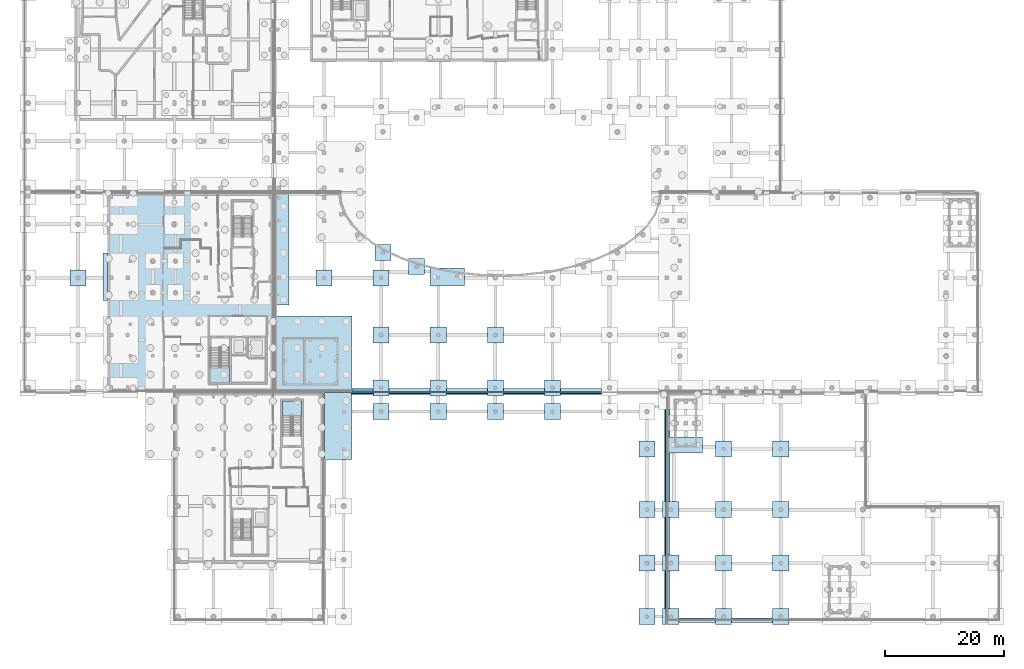
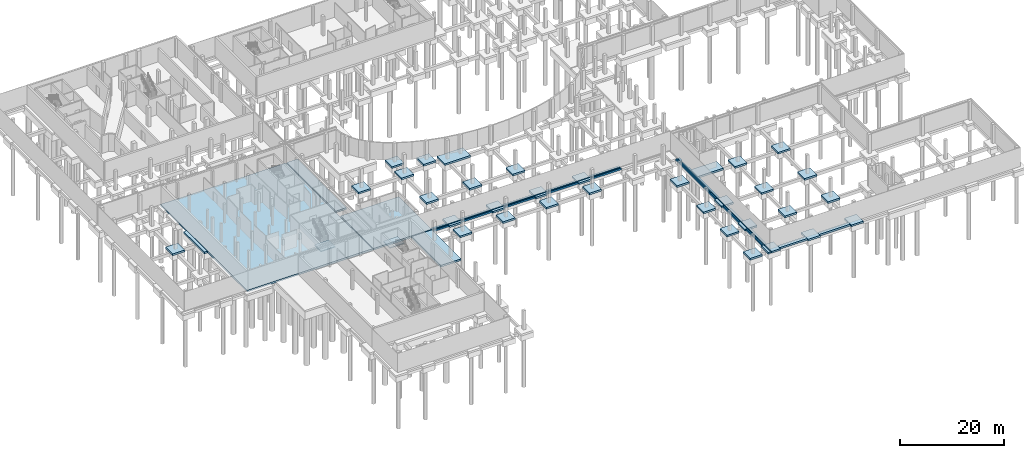
# One storey, part 16 of 40: 65 slabs, 2 elements without a shape of their own.
"""IFC4 building model written with IfcOpenShell, lengths in metres."""

from ifc_helpers import new_model, si_unit, direction, frame, origin, place, context, subcontext, project, spatial, polyline, outline, extrude, material, layer, layer_set, type_object, element, aggregate, save


model = new_model("IFC4")

# Units and contexts
model_context = context("Model", 3, precision=1e-05, world=origin(), true_north=direction((0.0, 1.0)))
body_context = subcontext(model_context, "Body", "Model", "MODEL_VIEW")
ifc_project = project(units=[si_unit("LENGTHUNIT", "METRE"), si_unit("AREAUNIT", "SQUARE_METRE"), si_unit("VOLUMEUNIT", "CUBIC_METRE"), si_unit("PLANEANGLEUNIT", "RADIAN"), si_unit("MASSUNIT", "GRAM", prefix="KILO")], contexts=[model_context])

# Site, building, storey
site_placement = place(None, origin())
site = spatial("IfcSite", under=ifc_project, at=site_placement, CompositionType="ELEMENT")
building_placement = place(site_placement, origin())
building = spatial("IfcBuilding", under=site, at=building_placement, Name="Mzevani Central Library", CompositionType="ELEMENT")
storey_placement = place(building_placement, frame((0.0, 0.0, -4.5)))
storey = spatial("IfcBuildingStorey", under=building, at=storey_placement, Name="B1", CompositionType="ELEMENT", Elevation=-4.5)

# Slabs
ifc_material_1 = material(Name="Concrete C40/50", Category="concrete")
ifc_layer_1 = layer(ifc_material_1, 0.419921875, Name="Basement Mat Base Slab 420")
ifc_layer_set_1 = layer_set([ifc_layer_1], Name="Concrete C40/50")
slab_type_1 = type_object("IfcSlabType", Name="Basement Mat Base Slab 420", PredefinedType="BASESLAB", material=ifc_layer_set_1)
slab_1_placement = place(storey_placement, frame((0.0, 0.0, -0.419921875)))
element("IfcSlab", 1, at=slab_1_placement, inside=storey, type_object=slab_type_1, Name="B1 Foundation Plinth Collar (3)", PredefinedType="BASESLAB", context=body_context, shape_type="SweptSolid", body=[
    extrude(outline(polyline([(48.5, 57.0), (46.10009765625, 57.0), (46.10009765625, 75.89990234375), (48.5, 75.89990234375), (48.5, 57.0)])), origin(), (0.0, 0.0, 1.0), 0.419921875),
])
slab_2_placement = place(storey_placement, frame((0.0, 0.0, -0.419921875)))
element("IfcSlab", 2, at=slab_2_placement, inside=storey, type_object=slab_type_1, Name="B1 Foundation Plinth Collar (4)", PredefinedType="BASESLAB", context=body_context, shape_type="SweptSolid", body=[
    extrude(outline(polyline([(53.050048828125, 62.949951171875), (55.75, 62.949951171875), (55.75, 60.25), (53.050048828125, 60.25), (53.050048828125, 62.949951171875)])), origin(), (0.0, 0.0, 1.0), 0.419921875),
])
slab_3_placement = place(storey_placement, frame((0.0, 0.0, -0.419921875)))
element("IfcSlab", 3, at=slab_3_placement, inside=storey, type_object=slab_type_1, Name="B1 Foundation Plinth Collar (7)", PredefinedType="BASESLAB", context=body_context, shape_type="SweptSolid", body=[
    extrude(outline(polyline([(62.64990234375, 42.300048828125), (65.35009765625, 42.300048828125), (65.35009765625, 41.75), (62.64990234375, 41.75), (62.64990234375, 42.300048828125)])), origin(), (0.0, 0.0, 1.0), 0.419921875),
])
slab_4_placement = place(storey_placement, frame((0.0, 0.0, -0.419921875)))
element("IfcSlab", 4, at=slab_4_placement, inside=storey, type_object=slab_type_1, Name="B1 Foundation Plinth Collar (8)", PredefinedType="BASESLAB", context=body_context, shape_type="SweptSolid", body=[
    extrude(outline(polyline([(62.64990234375, 44.449951171875), (65.35009765625, 44.449951171875), (65.35009765625, 42.5), (62.64990234375, 42.5), (62.64990234375, 44.449951171875)])), origin(), (0.0, 0.0, 1.0), 0.419921875),
])
slab_5_placement = place(storey_placement, frame((0.0, 0.0, -0.419921875)))
element("IfcSlab", 5, at=slab_5_placement, inside=storey, type_object=slab_type_1, Name="B1 Foundation Plinth Collar (9)", PredefinedType="BASESLAB", context=body_context, shape_type="SweptSolid", body=[
    extrude(outline(polyline([(62.64990234375, 53.35009765625), (65.35009765625, 53.35009765625), (65.35009765625, 50.64990234375), (62.64990234375, 50.64990234375), (62.64990234375, 53.35009765625)])), origin(), (0.0, 0.0, 1.0), 0.419921875),
])
slab_6_placement = place(storey_placement, frame((0.0, 0.0, -0.419921875)))
element("IfcSlab", 6, at=slab_6_placement, inside=storey, type_object=slab_type_1, Name="B1 Foundation Plinth Collar (10)", PredefinedType="BASESLAB", context=body_context, shape_type="SweptSolid", body=[
    extrude(outline(polyline([(62.64990234375, 62.949951171875), (65.35009765625, 62.949951171875), (65.35009765625, 60.25), (62.64990234375, 60.25), (62.64990234375, 62.949951171875)])), origin(), (0.0, 0.0, 1.0), 0.419921875),
])
slab_7_placement = place(storey_placement, frame((0.0, 0.0, -0.419921875)))
element("IfcSlab", 7, at=slab_7_placement, inside=storey, type_object=slab_type_1, Name="B1 Foundation Plinth Collar (11)", PredefinedType="BASESLAB", context=body_context, shape_type="SweptSolid", body=[
    extrude(outline(polyline([(72.25, 42.300048828125), (74.949951171875, 42.300048828125), (74.949951171875, 41.75), (72.25, 41.75), (72.25, 42.300048828125)])), origin(), (0.0, 0.0, 1.0), 0.419921875),
])
slab_8_placement = place(storey_placement, frame((0.0, 0.0, -0.419921875)))
element("IfcSlab", 8, at=slab_8_placement, inside=storey, type_object=slab_type_1, Name="B1 Foundation Plinth Collar (12)", PredefinedType="BASESLAB", context=body_context, shape_type="SweptSolid", body=[
    extrude(outline(polyline([(72.25, 44.449951171875), (74.949951171875, 44.449951171875), (74.949951171875, 42.5), (72.25, 42.5), (72.25, 44.449951171875)])), origin(), (0.0, 0.0, 1.0), 0.419921875),
])
slab_9_placement = place(storey_placement, frame((0.0, 0.0, -0.419921875)))
element("IfcSlab", 9, at=slab_9_placement, inside=storey, type_object=slab_type_1, Name="B1 Foundation Plinth Collar (13)", PredefinedType="BASESLAB", context=body_context, shape_type="SweptSolid", body=[
    extrude(outline(polyline([(72.25, 53.35009765625), (74.949951171875, 53.35009765625), (74.949951171875, 50.64990234375), (72.25, 50.64990234375), (72.25, 53.35009765625)])), origin(), (0.0, 0.0, 1.0), 0.419921875),
])
slab_10_placement = place(storey_placement, frame((0.0, 0.0, -0.419921875)))
element("IfcSlab", 10, at=slab_10_placement, inside=storey, type_object=slab_type_1, Name="B1 Foundation Plinth Collar (14)", PredefinedType="BASESLAB", context=body_context, shape_type="SweptSolid", body=[
    extrude(outline(polyline([(72.25, 63.25390625), (78.02197265625, 63.25390625), (78.02197265625, 60.25), (72.25, 60.25), (72.25, 63.25390625)])), origin(), (0.0, 0.0, 1.0), 0.419921875),
])
slab_11_placement = place(storey_placement, frame((0.0, 0.0, -0.419921875)))
element("IfcSlab", 11, at=slab_11_placement, inside=storey, type_object=slab_type_1, Name="B1 Foundation Plinth Collar (15)", PredefinedType="BASESLAB", context=body_context, shape_type="SweptSolid", body=[
    extrude(outline(polyline([(81.85009765625, 42.300048828125), (84.550048828125, 42.300048828125), (84.550048828125, 41.75), (81.85009765625, 41.75), (81.85009765625, 42.300048828125)])), origin(), (0.0, 0.0, 1.0), 0.419921875),
])
slab_12_placement = place(storey_placement, frame((0.0, 0.0, -0.419921875)))
element("IfcSlab", 12, at=slab_12_placement, inside=storey, type_object=slab_type_1, Name="B1 Foundation Plinth Collar (16)", PredefinedType="BASESLAB", context=body_context, shape_type="SweptSolid", body=[
    extrude(outline(polyline([(81.85009765625, 44.449951171875), (84.550048828125, 44.449951171875), (84.550048828125, 42.5), (81.85009765625, 42.5), (81.85009765625, 44.449951171875)])), origin(), (0.0, 0.0, 1.0), 0.419921875),
])
slab_13_placement = place(storey_placement, frame((0.0, 0.0, -0.419921875)))
element("IfcSlab", 13, at=slab_13_placement, inside=storey, type_object=slab_type_1, Name="B1 Foundation Plinth Collar (17)", PredefinedType="BASESLAB", context=body_context, shape_type="SweptSolid", body=[
    extrude(outline(polyline([(81.85009765625, 53.35009765625), (84.550048828125, 53.35009765625), (84.550048828125, 50.64990234375), (81.85009765625, 50.64990234375), (81.85009765625, 53.35009765625)])), origin(), (0.0, 0.0, 1.0), 0.419921875),
])
slab_14_placement = place(storey_placement, frame((0.0, 0.0, -0.419921875)))
element("IfcSlab", 14, at=slab_14_placement, inside=storey, type_object=slab_type_1, Name="B1 Foundation Plinth Collar (19)", PredefinedType="BASESLAB", context=body_context, shape_type="SweptSolid", body=[
    extrude(outline(polyline([(91.449951171875, 42.300048828125), (94.14990234375, 42.300048828125), (94.14990234375, 41.75), (91.449951171875, 41.75), (91.449951171875, 42.300048828125)])), origin(), (0.0, 0.0, 1.0), 0.419921875),
])
slab_15_placement = place(storey_placement, frame((0.0, 0.0, -0.419921875)))
element("IfcSlab", 15, at=slab_15_placement, inside=storey, type_object=slab_type_1, Name="B1 Foundation Plinth Collar (20)", PredefinedType="BASESLAB", context=body_context, shape_type="SweptSolid", body=[
    extrude(outline(polyline([(91.449951171875, 44.449951171875), (94.14990234375, 44.449951171875), (94.14990234375, 42.5), (91.449951171875, 42.5), (91.449951171875, 44.449951171875)])), origin(), (0.0, 0.0, 1.0), 0.419921875),
])
slab_16_placement = place(storey_placement, frame((0.0, 0.0, -0.419921875)))
element("IfcSlab", 16, at=slab_16_placement, inside=storey, type_object=slab_type_1, Name="B1 Foundation Plinth Collar (65)", PredefinedType="BASESLAB", context=body_context, shape_type="SweptSolid", body=[
    extrude(outline(polyline([(62.944091796875, 67.194091796875), (65.64404296875, 67.194091796875), (65.64404296875, 64.493896484375), (62.944091796875, 64.493896484375), (62.944091796875, 67.194091796875)])), origin(), (0.0, 0.0, 1.0), 0.419921875),
])
slab_17_placement = place(storey_placement, frame((0.0, 0.0, -0.419921875)))
element("IfcSlab", 17, at=slab_17_placement, inside=storey, type_object=slab_type_1, Name="B1 Foundation Plinth Collar (66)", PredefinedType="BASESLAB", context=body_context, shape_type="SweptSolid", body=[
    extrude(outline(polyline([(68.615966796875, 64.822021484375), (71.31591796875, 64.822021484375), (71.31591796875, 62.1220703125), (68.615966796875, 62.1220703125), (68.615966796875, 64.822021484375)])), origin(), (0.0, 0.0, 1.0), 0.419921875),
])
slab_18_placement = place(storey_placement, frame((0.0, 0.0, -0.419921875)))
element("IfcSlab", 18, at=slab_18_placement, inside=storey, type_object=slab_type_1, Name="B1 Foundation Plinth Collar (130)", PredefinedType="BASESLAB", context=body_context, shape_type="SweptSolid", body=[
    extrude(outline(polyline([(59.050048828125, 42.5), (46.10009765625, 42.5), (46.10009765625, 55.14990234375), (59.050048828125, 55.14990234375), (59.050048828125, 42.5)])), origin(), (0.0, 0.0, 1.0), 0.419921875),
])
slab_19_placement = place(storey_placement, frame((0.0, 0.0, -0.419921875)))
element("IfcSlab", 19, at=slab_19_placement, inside=storey, type_object=slab_type_1, Name="B1 Foundation Plinth Collar (131)", PredefinedType="BASESLAB", context=body_context, shape_type="SweptSolid", body=[
    extrude(outline(polyline([(59.050048828125, 31.050048828125), (54.5, 31.050048828125), (54.5, 42.300048828125), (59.050048828125, 42.300048828125), (59.050048828125, 31.050048828125)])), origin(), (0.0, 0.0, 1.0), 0.419921875),
])
slab_20_placement = place(storey_placement, frame((0.0, 0.0, -0.419921875)))
element("IfcSlab", 20, at=slab_20_placement, inside=storey, type_object=slab_type_1, Name="B1 Foundation Plinth Collar (149)", PredefinedType="BASESLAB", context=body_context, shape_type="SweptSolid", body=[
    extrude(outline(polyline([(11.64990234375, 62.949951171875), (14.35009765625, 62.949951171875), (14.35009765625, 60.25), (11.64990234375, 60.25), (11.64990234375, 62.949951171875)])), origin(), (0.0, 0.0, 1.0), 0.419921875),
])
slab_21_placement = place(storey_placement, frame((0.0, 0.0, -0.419921875)))
element("IfcSlab", 21, at=slab_21_placement, inside=storey, type_object=slab_type_1, Name="B1 Foundation Plinth Collar (154)", PredefinedType="BASESLAB", context=body_context, shape_type="SweptSolid", body=[
    extrude(outline(polyline([(17.25, 65.75), (17.97998046875, 65.75), (17.97998046875, 57.75), (17.25, 57.75), (17.25, 65.75)])), origin(), (0.0, 0.0, 1.0), 0.419921875),
])
slab_22_placement = place(storey_placement, frame((0.0, 0.0, -0.419921875)))
element("IfcSlab", 22, at=slab_22_placement, inside=storey, type_object=slab_type_1, Name="B1 Foundation Plinth Collar (156)", PredefinedType="BASESLAB", context=body_context, shape_type="SweptSolid", body=[
    extrude(outline(polyline([(111.35009765625, 5.949951171875), (111.89990234375, 5.949951171875), (111.89990234375, 3.25), (111.35009765625, 3.25), (111.35009765625, 5.949951171875)])), origin(), (0.0, 0.0, 1.0), 0.419921875),
])
slab_23_placement = place(storey_placement, frame((0.0, 0.0, -0.419921875)))
element("IfcSlab", 23, at=slab_23_placement, inside=storey, type_object=slab_type_1, Name="B1 Foundation Plinth Collar (157)", PredefinedType="BASESLAB", context=body_context, shape_type="SweptSolid", body=[
    extrude(outline(polyline([(114.050048828125, 5.949951171875), (114.050048828125, 3.25), (112.10009765625, 3.25), (112.10009765625, 5.949951171875), (114.050048828125, 5.949951171875)])), origin(), (0.0, 0.0, 1.0), 0.419921875),
])
slab_24_placement = place(storey_placement, frame((0.0, 0.0, -0.419921875)))
element("IfcSlab", 24, at=slab_24_placement, inside=storey, type_object=slab_type_1, Name="B1 Foundation Plinth Collar (158)", PredefinedType="BASESLAB", context=body_context, shape_type="SweptSolid", body=[
    extrude(outline(polyline([(111.35009765625, 14.949951171875), (111.89990234375, 14.949951171875), (111.89990234375, 12.25), (111.35009765625, 12.25), (111.35009765625, 14.949951171875)])), origin(), (0.0, 0.0, 1.0), 0.419921875),
])
slab_25_placement = place(storey_placement, frame((0.0, 0.0, -0.419921875)))
element("IfcSlab", 25, at=slab_25_placement, inside=storey, type_object=slab_type_1, Name="B1 Foundation Plinth Collar (159)", PredefinedType="BASESLAB", context=body_context, shape_type="SweptSolid", body=[
    extrude(outline(polyline([(114.050048828125, 14.949951171875), (114.050048828125, 12.25), (112.10009765625, 12.25), (112.10009765625, 14.949951171875), (114.050048828125, 14.949951171875)])), origin(), (0.0, 0.0, 1.0), 0.419921875),
])
slab_26_placement = place(storey_placement, frame((0.0, 0.0, -0.419921875)))
element("IfcSlab", 26, at=slab_26_placement, inside=storey, type_object=slab_type_1, Name="B1 Foundation Plinth Collar (160)", PredefinedType="BASESLAB", context=body_context, shape_type="SweptSolid", body=[
    extrude(outline(polyline([(111.35009765625, 23.949951171875), (111.89990234375, 23.949951171875), (111.89990234375, 21.25), (111.35009765625, 21.25), (111.35009765625, 23.949951171875)])), origin(), (0.0, 0.0, 1.0), 0.419921875),
])
slab_27_placement = place(storey_placement, frame((0.0, 0.0, -0.419921875)))
element("IfcSlab", 27, at=slab_27_placement, inside=storey, type_object=slab_type_1, Name="B1 Foundation Plinth Collar (161)", PredefinedType="BASESLAB", context=body_context, shape_type="SweptSolid", body=[
    extrude(outline(polyline([(114.050048828125, 23.949951171875), (114.050048828125, 21.25), (112.10009765625, 21.25), (112.10009765625, 23.949951171875), (114.050048828125, 23.949951171875)])), origin(), (0.0, 0.0, 1.0), 0.419921875),
])
slab_28_placement = place(storey_placement, frame((0.0, 0.0, -0.419921875)))
element("IfcSlab", 28, at=slab_28_placement, inside=storey, type_object=slab_type_1, Name="B1 Foundation Plinth Collar (162)", PredefinedType="BASESLAB", context=body_context, shape_type="SweptSolid", body=[
    extrude(outline(polyline([(120.25, 5.949951171875), (122.949951171875, 5.949951171875), (122.949951171875, 3.25), (120.25, 3.25), (120.25, 5.949951171875)])), origin(), (0.0, 0.0, 1.0), 0.419921875),
])
slab_29_placement = place(storey_placement, frame((0.0, 0.0, -0.419921875)))
element("IfcSlab", 29, at=slab_29_placement, inside=storey, type_object=slab_type_1, Name="B1 Foundation Plinth Collar (163)", PredefinedType="BASESLAB", context=body_context, shape_type="SweptSolid", body=[
    extrude(outline(polyline([(120.25, 14.949951171875), (122.949951171875, 14.949951171875), (122.949951171875, 12.25), (120.25, 12.25), (120.25, 14.949951171875)])), origin(), (0.0, 0.0, 1.0), 0.419921875),
])
slab_30_placement = place(storey_placement, frame((0.0, 0.0, -0.419921875)))
element("IfcSlab", 30, at=slab_30_placement, inside=storey, type_object=slab_type_1, Name="B1 Foundation Plinth Collar (164)", PredefinedType="BASESLAB", context=body_context, shape_type="SweptSolid", body=[
    extrude(outline(polyline([(120.25, 23.949951171875), (122.949951171875, 23.949951171875), (122.949951171875, 21.25), (120.25, 21.25), (120.25, 23.949951171875)])), origin(), (0.0, 0.0, 1.0), 0.419921875),
])
slab_31_placement = place(storey_placement, frame((0.0, 0.0, -0.419921875)))
element("IfcSlab", 31, at=slab_31_placement, inside=storey, type_object=slab_type_1, Name="B1 Foundation Plinth Collar (165)", PredefinedType="BASESLAB", context=body_context, shape_type="SweptSolid", body=[
    extrude(outline(polyline([(120.25, 34.14990234375), (122.949951171875, 34.14990234375), (122.949951171875, 31.449951171875), (120.25, 31.449951171875), (120.25, 34.14990234375)])), origin(), (0.0, 0.0, 1.0), 0.419921875),
])
slab_32_placement = place(storey_placement, frame((0.0, 0.0, -0.419921875)))
element("IfcSlab", 32, at=slab_32_placement, inside=storey, type_object=slab_type_1, Name="B1 Foundation Plinth Collar (166)", PredefinedType="BASESLAB", context=body_context, shape_type="SweptSolid", body=[
    extrude(outline(polyline([(129.85009765625, 5.949951171875), (132.550048828125, 5.949951171875), (132.550048828125, 3.25), (129.85009765625, 3.25), (129.85009765625, 5.949951171875)])), origin(), (0.0, 0.0, 1.0), 0.419921875),
])
slab_33_placement = place(storey_placement, frame((0.0, 0.0, -0.419921875)))
element("IfcSlab", 33, at=slab_33_placement, inside=storey, type_object=slab_type_1, Name="B1 Foundation Plinth Collar (167)", PredefinedType="BASESLAB", context=body_context, shape_type="SweptSolid", body=[
    extrude(outline(polyline([(129.85009765625, 14.949951171875), (132.550048828125, 14.949951171875), (132.550048828125, 12.25), (129.85009765625, 12.25), (129.85009765625, 14.949951171875)])), origin(), (0.0, 0.0, 1.0), 0.419921875),
])
slab_34_placement = place(storey_placement, frame((0.0, 0.0, -0.419921875)))
element("IfcSlab", 34, at=slab_34_placement, inside=storey, type_object=slab_type_1, Name="B1 Foundation Plinth Collar (168)", PredefinedType="BASESLAB", context=body_context, shape_type="SweptSolid", body=[
    extrude(outline(polyline([(129.85009765625, 23.949951171875), (132.550048828125, 23.949951171875), (132.550048828125, 21.25), (129.85009765625, 21.25), (129.85009765625, 23.949951171875)])), origin(), (0.0, 0.0, 1.0), 0.419921875),
])
slab_35_placement = place(storey_placement, frame((0.0, 0.0, -0.419921875)))
element("IfcSlab", 35, at=slab_35_placement, inside=storey, type_object=slab_type_1, Name="B1 Foundation Plinth Collar (169)", PredefinedType="BASESLAB", context=body_context, shape_type="SweptSolid", body=[
    extrude(outline(polyline([(129.85009765625, 34.14990234375), (132.550048828125, 34.14990234375), (132.550048828125, 31.449951171875), (129.85009765625, 31.449951171875), (129.85009765625, 34.14990234375)])), origin(), (0.0, 0.0, 1.0), 0.419921875),
])
slab_36_placement = place(storey_placement, frame((0.0, 0.0, -0.419921875)))
element("IfcSlab", 36, at=slab_36_placement, inside=storey, type_object=slab_type_1, Name="B1 Foundation Plinth Collar (183)", PredefinedType="BASESLAB", context=body_context, shape_type="SweptSolid", body=[
    extrude(outline(polyline([(107.35009765625, 5.949951171875), (110.050048828125, 5.949951171875), (110.050048828125, 3.25), (107.35009765625, 3.25), (107.35009765625, 5.949951171875)])), origin(), (0.0, 0.0, 1.0), 0.419921875),
])
slab_37_placement = place(storey_placement, frame((0.0, 0.0, -0.419921875)))
element("IfcSlab", 37, at=slab_37_placement, inside=storey, type_object=slab_type_1, Name="B1 Foundation Plinth Collar (184)", PredefinedType="BASESLAB", context=body_context, shape_type="SweptSolid", body=[
    extrude(outline(polyline([(107.35009765625, 14.949951171875), (110.050048828125, 14.949951171875), (110.050048828125, 12.25), (107.35009765625, 12.25), (107.35009765625, 14.949951171875)])), origin(), (0.0, 0.0, 1.0), 0.419921875),
])
slab_38_placement = place(storey_placement, frame((0.0, 0.0, -0.419921875)))
element("IfcSlab", 38, at=slab_38_placement, inside=storey, type_object=slab_type_1, Name="B1 Foundation Plinth Collar (185)", PredefinedType="BASESLAB", context=body_context, shape_type="SweptSolid", body=[
    extrude(outline(polyline([(107.35009765625, 23.949951171875), (110.050048828125, 23.949951171875), (110.050048828125, 21.25), (107.35009765625, 21.25), (107.35009765625, 23.949951171875)])), origin(), (0.0, 0.0, 1.0), 0.419921875),
])
slab_39_placement = place(storey_placement, frame((0.0, 0.0, -0.419921875)))
element("IfcSlab", 39, at=slab_39_placement, inside=storey, type_object=slab_type_1, Name="B1 Foundation Plinth Collar (186)", PredefinedType="BASESLAB", context=body_context, shape_type="SweptSolid", body=[
    extrude(outline(polyline([(107.35009765625, 34.14990234375), (110.050048828125, 34.14990234375), (110.050048828125, 31.449951171875), (107.35009765625, 31.449951171875), (107.35009765625, 34.14990234375)])), origin(), (0.0, 0.0, 1.0), 0.419921875),
])
slab_40_placement = place(storey_placement, frame((0.0, 0.0, -0.419921875)))
element("IfcSlab", 40, at=slab_40_placement, inside=storey, type_object=slab_type_1, Name="B1 Foundation Plinth Collar (188)", PredefinedType="BASESLAB", context=body_context, shape_type="SweptSolid", body=[
    extrude(outline(polyline([(62.64990234375, 40.449951171875), (65.35009765625, 40.449951171875), (65.35009765625, 37.75), (62.64990234375, 37.75), (62.64990234375, 40.449951171875)])), origin(), (0.0, 0.0, 1.0), 0.419921875),
])
slab_41_placement = place(storey_placement, frame((0.0, 0.0, -0.419921875)))
element("IfcSlab", 41, at=slab_41_placement, inside=storey, type_object=slab_type_1, Name="B1 Foundation Plinth Collar (189)", PredefinedType="BASESLAB", context=body_context, shape_type="SweptSolid", body=[
    extrude(outline(polyline([(72.25, 40.449951171875), (74.949951171875, 40.449951171875), (74.949951171875, 37.75), (72.25, 37.75), (72.25, 40.449951171875)])), origin(), (0.0, 0.0, 1.0), 0.419921875),
])
slab_42_placement = place(storey_placement, frame((0.0, 0.0, -0.419921875)))
element("IfcSlab", 42, at=slab_42_placement, inside=storey, type_object=slab_type_1, Name="B1 Foundation Plinth Collar (190)", PredefinedType="BASESLAB", context=body_context, shape_type="SweptSolid", body=[
    extrude(outline(polyline([(81.85009765625, 40.449951171875), (84.550048828125, 40.449951171875), (84.550048828125, 37.75), (81.85009765625, 37.75), (81.85009765625, 40.449951171875)])), origin(), (0.0, 0.0, 1.0), 0.419921875),
])
slab_43_placement = place(storey_placement, frame((0.0, 0.0, -0.419921875)))
element("IfcSlab", 43, at=slab_43_placement, inside=storey, type_object=slab_type_1, Name="B1 Foundation Plinth Collar (191)", PredefinedType="BASESLAB", context=body_context, shape_type="SweptSolid", body=[
    extrude(outline(polyline([(91.449951171875, 40.449951171875), (94.14990234375, 40.449951171875), (94.14990234375, 37.75), (91.449951171875, 37.75), (91.449951171875, 40.449951171875)])), origin(), (0.0, 0.0, 1.0), 0.419921875),
])
slab_44_placement = place(storey_placement, frame((0.0, 0.0, -0.419921875)))
element("IfcSlab", 44, at=slab_44_placement, inside=storey, type_object=slab_type_1, Name="B1 Foundation Plinth Collar (197)", PredefinedType="BASESLAB", context=body_context, shape_type="SweptSolid", body=[
    extrude(outline(polyline([(112.35009765625, 34.85009765625), (118.050048828125, 34.85009765625), (118.050048828125, 32.14990234375), (112.35009765625, 32.14990234375), (112.35009765625, 34.85009765625)])), origin(), (0.0, 0.0, 1.0), 0.419921875),
])
slab_45_placement = place(storey_placement, frame((0.0, 0.0, -0.419921875)))
element("IfcSlab", 45, at=slab_45_placement, inside=storey, type_object=slab_type_1, Name="B1 Strip Footing Plinth Collar (203)", PredefinedType="BASESLAB", context=body_context, shape_type="SweptSolid", body=[
    extrude(outline(polyline([(59.050048828125, 42.300048828125), (62.64990234375, 42.300048828125), (62.64990234375, 42.050048828125), (59.050048828125, 42.050048828125), (59.050048828125, 42.300048828125)])), origin(), (0.0, 0.0, 1.0), 0.419921875),
])
slab_46_placement = place(storey_placement, frame((0.0, 0.0, -0.419921875)))
element("IfcSlab", 46, at=slab_46_placement, inside=storey, type_object=slab_type_1, Name="B1 Strip Footing Plinth Collar (204)", PredefinedType="BASESLAB", context=body_context, shape_type="SweptSolid", body=[
    extrude(outline(polyline([(59.050048828125, 42.949951171875), (62.64990234375, 42.949951171875), (62.64990234375, 42.5), (59.050048828125, 42.5), (59.050048828125, 42.949951171875)])), origin(), (0.0, 0.0, 1.0), 0.419921875),
])
slab_47_placement = place(storey_placement, frame((0.0, 0.0, -0.419921875)))
element("IfcSlab", 47, at=slab_47_placement, inside=storey, type_object=slab_type_1, Name="B1 Strip Footing Plinth Collar (205)", PredefinedType="BASESLAB", context=body_context, shape_type="SweptSolid", body=[
    extrude(outline(polyline([(65.35009765625, 42.300048828125), (72.25, 42.300048828125), (72.25, 42.050048828125), (65.35009765625, 42.050048828125), (65.35009765625, 42.300048828125)])), origin(), (0.0, 0.0, 1.0), 0.419921875),
])
slab_48_placement = place(storey_placement, frame((0.0, 0.0, -0.419921875)))
element("IfcSlab", 48, at=slab_48_placement, inside=storey, type_object=slab_type_1, Name="B1 Strip Footing Plinth Collar (206)", PredefinedType="BASESLAB", context=body_context, shape_type="SweptSolid", body=[
    extrude(outline(polyline([(65.35009765625, 42.949951171875), (72.25, 42.949951171875), (72.25, 42.5), (65.35009765625, 42.5), (65.35009765625, 42.949951171875)])), origin(), (0.0, 0.0, 1.0), 0.419921875),
])
slab_49_placement = place(storey_placement, frame((0.0, 0.0, -0.419921875)))
element("IfcSlab", 49, at=slab_49_placement, inside=storey, type_object=slab_type_1, Name="B1 Strip Footing Plinth Collar (207)", PredefinedType="BASESLAB", context=body_context, shape_type="SweptSolid", body=[
    extrude(outline(polyline([(74.949951171875, 42.300048828125), (81.85009765625, 42.300048828125), (81.85009765625, 42.050048828125), (74.949951171875, 42.050048828125), (74.949951171875, 42.300048828125)])), origin(), (0.0, 0.0, 1.0), 0.419921875),
])
slab_50_placement = place(storey_placement, frame((0.0, 0.0, -0.419921875)))
element("IfcSlab", 50, at=slab_50_placement, inside=storey, type_object=slab_type_1, Name="B1 Strip Footing Plinth Collar (208)", PredefinedType="BASESLAB", context=body_context, shape_type="SweptSolid", body=[
    extrude(outline(polyline([(74.949951171875, 42.949951171875), (81.85009765625, 42.949951171875), (81.85009765625, 42.5), (74.949951171875, 42.5), (74.949951171875, 42.949951171875)])), origin(), (0.0, 0.0, 1.0), 0.419921875),
])
slab_51_placement = place(storey_placement, frame((0.0, 0.0, -0.419921875)))
element("IfcSlab", 51, at=slab_51_placement, inside=storey, type_object=slab_type_1, Name="B1 Strip Footing Plinth Collar (209)", PredefinedType="BASESLAB", context=body_context, shape_type="SweptSolid", body=[
    extrude(outline(polyline([(84.550048828125, 42.300048828125), (91.449951171875, 42.300048828125), (91.449951171875, 42.050048828125), (84.550048828125, 42.050048828125), (84.550048828125, 42.300048828125)])), origin(), (0.0, 0.0, 1.0), 0.419921875),
])
slab_52_placement = place(storey_placement, frame((0.0, 0.0, -0.419921875)))
element("IfcSlab", 52, at=slab_52_placement, inside=storey, type_object=slab_type_1, Name="B1 Strip Footing Plinth Collar (210)", PredefinedType="BASESLAB", context=body_context, shape_type="SweptSolid", body=[
    extrude(outline(polyline([(84.550048828125, 42.949951171875), (91.449951171875, 42.949951171875), (91.449951171875, 42.5), (84.550048828125, 42.5), (84.550048828125, 42.949951171875)])), origin(), (0.0, 0.0, 1.0), 0.419921875),
])
slab_53_placement = place(storey_placement, frame((0.0, 0.0, -0.419921875)))
element("IfcSlab", 53, at=slab_53_placement, inside=storey, type_object=slab_type_1, Name="B1 Strip Footing Plinth Collar (211)", PredefinedType="BASESLAB", context=body_context, shape_type="SweptSolid", body=[
    extrude(outline(polyline([(94.14990234375, 42.300048828125), (101.050048828125, 42.300048828125), (101.050048828125, 42.050048828125), (94.14990234375, 42.050048828125), (94.14990234375, 42.300048828125)])), origin(), (0.0, 0.0, 1.0), 0.419921875),
])
slab_54_placement = place(storey_placement, frame((0.0, 0.0, -0.419921875)))
element("IfcSlab", 54, at=slab_54_placement, inside=storey, type_object=slab_type_1, Name="B1 Strip Footing Plinth Collar (212)", PredefinedType="BASESLAB", context=body_context, shape_type="SweptSolid", body=[
    extrude(outline(polyline([(94.14990234375, 42.949951171875), (101.050048828125, 42.949951171875), (101.050048828125, 42.5), (94.14990234375, 42.5), (94.14990234375, 42.949951171875)])), origin(), (0.0, 0.0, 1.0), 0.419921875),
])
slab_55_placement = place(storey_placement, frame((0.0, 0.0, -0.419921875)))
element("IfcSlab", 55, at=slab_55_placement, inside=storey, type_object=slab_type_1, Name="B1 Strip Footing Plinth Collar (273)", PredefinedType="BASESLAB", context=body_context, shape_type="SweptSolid", body=[
    extrude(outline(polyline([(114.050048828125, 4.39990234375), (120.25, 4.39990234375), (120.25, 3.60009765625), (114.050048828125, 3.60009765625), (114.050048828125, 4.39990234375)])), origin(), (0.0, 0.0, 1.0), 0.419921875),
])
slab_56_placement = place(storey_placement, frame((0.0, 0.0, -0.419921875)))
element("IfcSlab", 56, at=slab_56_placement, inside=storey, type_object=slab_type_1, Name="B1 Strip Footing Plinth Collar (274)", PredefinedType="BASESLAB", context=body_context, shape_type="SweptSolid", body=[
    extrude(outline(polyline([(122.949951171875, 4.39990234375), (129.85009765625, 4.39990234375), (129.85009765625, 3.60009765625), (122.949951171875, 3.60009765625), (122.949951171875, 4.39990234375)])), origin(), (0.0, 0.0, 1.0), 0.419921875),
])
slab_57_placement = place(storey_placement, frame((0.0, 0.0, -0.419921875)))
element("IfcSlab", 57, at=slab_57_placement, inside=storey, type_object=slab_type_1, Name="B1 Strip Footing Plinth Collar (278)", PredefinedType="BASESLAB", context=body_context, shape_type="SweptSolid", body=[
    extrude(outline(polyline([(111.89990234375, 21.25), (111.89990234375, 14.949951171875), (111.64990234375, 14.949951171875), (111.64990234375, 21.25), (111.89990234375, 21.25)])), origin(), (0.0, 0.0, 1.0), 0.419921875),
])
slab_58_placement = place(storey_placement, frame((0.0, 0.0, -0.419921875)))
element("IfcSlab", 58, at=slab_58_placement, inside=storey, type_object=slab_type_1, Name="B1 Strip Footing Plinth Collar (279)", PredefinedType="BASESLAB", context=body_context, shape_type="SweptSolid", body=[
    extrude(outline(polyline([(112.550048828125, 21.25), (112.550048828125, 14.949951171875), (112.10009765625, 14.949951171875), (112.10009765625, 21.25), (112.550048828125, 21.25)])), origin(), (0.0, 0.0, 1.0), 0.419921875),
])
slab_59_placement = place(storey_placement, frame((0.0, 0.0, -0.419921875)))
element("IfcSlab", 59, at=slab_59_placement, inside=storey, type_object=slab_type_1, Name="B1 Strip Footing Plinth Collar (280)", PredefinedType="BASESLAB", context=body_context, shape_type="SweptSolid", body=[
    extrude(outline(polyline([(111.89990234375, 12.25), (111.89990234375, 5.949951171875), (111.64990234375, 5.949951171875), (111.64990234375, 12.25), (111.89990234375, 12.25)])), origin(), (0.0, 0.0, 1.0), 0.419921875),
])
slab_60_placement = place(storey_placement, frame((0.0, 0.0, -0.419921875)))
element("IfcSlab", 60, at=slab_60_placement, inside=storey, type_object=slab_type_1, Name="B1 Strip Footing Plinth Collar (281)", PredefinedType="BASESLAB", context=body_context, shape_type="SweptSolid", body=[
    extrude(outline(polyline([(112.550048828125, 12.25), (112.550048828125, 5.949951171875), (112.10009765625, 5.949951171875), (112.10009765625, 12.25), (112.550048828125, 12.25)])), origin(), (0.0, 0.0, 1.0), 0.419921875),
])
slab_61_placement = place(storey_placement, frame((0.0, 0.0, -0.419921875)))
element("IfcSlab", 61, at=slab_61_placement, inside=storey, type_object=slab_type_1, Name="B1 Strip Footing Plinth Collar (282)", PredefinedType="BASESLAB", context=body_context, shape_type="SweptSolid", body=[
    extrude(outline(polyline([(112.550048828125, 35.800048828125), (112.550048828125, 34.85009765625), (112.35009765625, 34.85009765625), (112.35009765625, 32.14990234375), (112.550048828125, 32.14990234375), (112.550048828125, 23.949951171875), (112.10009765625, 23.949951171875), (112.10009765625, 39.449951171875), (112.550048828125, 39.449951171875), (112.550048828125, 38.5), (112.35009765625, 38.5), (112.35009765625, 35.800048828125), (112.550048828125, 35.800048828125)])), origin(), (0.0, 0.0, 1.0), 0.419921875),
])
slab_62_placement = place(storey_placement, frame((0.0, 0.0, -0.419921875)))
element("IfcSlab", 62, at=slab_62_placement, inside=storey, type_object=slab_type_1, Name="B1 Strip Footing Plinth Collar (283)", PredefinedType="BASESLAB", context=body_context, shape_type="SweptSolid", body=[
    extrude(outline(polyline([(111.64990234375, 23.949951171875), (111.64990234375, 39.449951171875), (111.89990234375, 39.449951171875), (111.89990234375, 23.949951171875), (111.64990234375, 23.949951171875)])), origin(), (0.0, 0.0, 1.0), 0.419921875),
])
slab_63_placement = place(storey_placement, frame((0.0, 0.0, -0.419921875)))
element("IfcSlab", 63, at=slab_63_placement, inside=storey, type_object=slab_type_1, Name="B1 V5 Structural Slab GS-02", PredefinedType="BASESLAB", context=body_context, shape_type="SweptSolid", body=[
    extrude(outline(polyline([(45.89990234375, 42.5), (18.0, 42.5), (18.0, 75.89990234375), (45.89990234375, 75.89990234375), (45.89990234375, 42.5)])), origin(), (0.0, 0.0, 1.0), 0.419921875),
])

# Stair, slab
ifc_material_2 = material(Name="Concrete C35/45", Category="concrete")
stair_type = type_object("IfcStairType", Name="Dogleg Exit Stair 173x280", PredefinedType="HALF_TURN_STAIR", material=ifc_material_2)
stair_1_placement = place(storey_placement, origin())
stair_1 = element("IfcStair", 64, at=stair_1_placement, inside=storey, type_object=stair_type, Name="B1 Core C4B Square South Escape Stair Exit Stair ST-03", PredefinedType="HALF_TURN_STAIR")
ifc_layer_2 = layer(ifc_material_2, 0.199951171875, Name="Stair Landing Slab 200")
ifc_layer_set_2 = layer_set([ifc_layer_2], Name="Concrete C35/45")
slab_type_2 = type_object("IfcSlabType", Name="Stair Landing Slab 200", PredefinedType="LANDING", material=ifc_layer_set_2)
slab_64_placement = place(storey_placement, frame((0.0, 0.0, 2.050048828125)))
slab_64 = element("IfcSlab", 65, at=slab_64_placement, type_object=slab_type_2, Name="ST-08 landing 1", PredefinedType="LANDING", context=body_context, shape_type="SweptSolid", body=[
    extrude(outline(polyline([(50.60009765625, 38.360107421875), (50.60009765625, 40.89990234375), (47.39990234375, 40.89990234375), (47.39990234375, 38.360107421875), (50.60009765625, 38.360107421875)])), origin(), (0.0, 0.0, 1.0), 0.199951171875),
])
aggregate(stair_1, [slab_64])

stair_2_placement = place(storey_placement, origin())
stair_2 = element("IfcStair", 66, at=stair_2_placement, inside=storey, type_object=stair_type, Name="B1 Core C5A Auditorium & Goods Core Exit Stair ST-03", PredefinedType="HALF_TURN_STAIR")
slab_65_placement = place(storey_placement, frame((0.0, 0.0, 2.050048828125)))
slab_65 = element("IfcSlab", 67, at=slab_65_placement, type_object=slab_type_2, Name="ST-09 landing 1", PredefinedType="LANDING", context=body_context, shape_type="SweptSolid", body=[
    extrude(outline(polyline([(35.300048828125, 46.5400390625), (35.300048828125, 44.0), (38.5, 44.0), (38.5, 46.5400390625), (35.300048828125, 46.5400390625)])), origin(), (0.0, 0.0, 1.0), 0.199951171875),
])
aggregate(stair_2, [slab_65])

save(model, "model.ifc")
